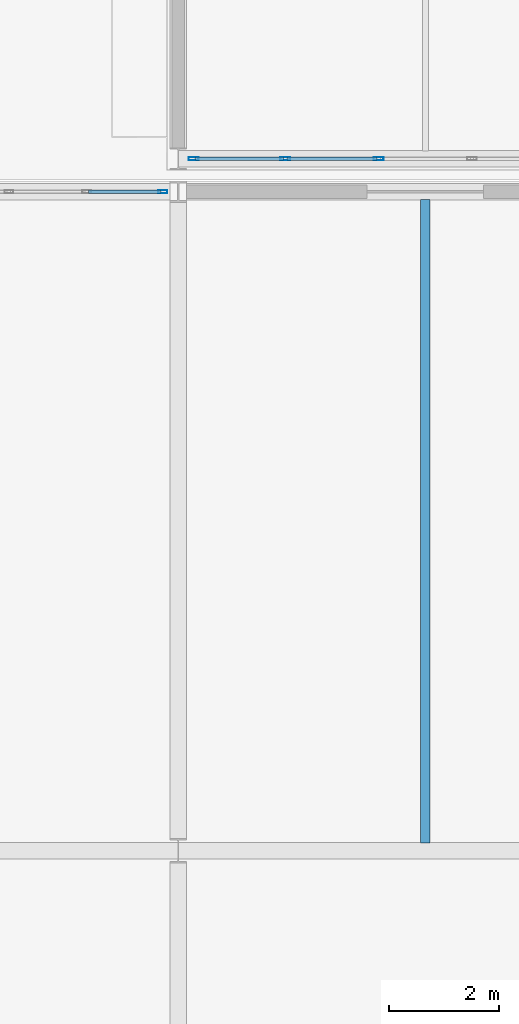
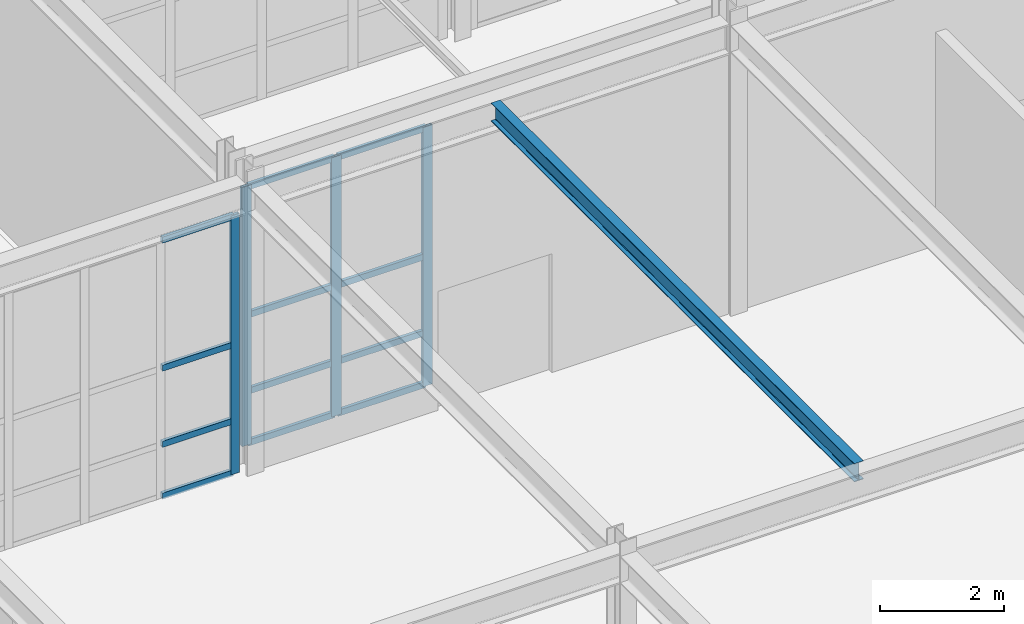
# One storey, part 28 of 146: 16 members, 1 beam, 2 elements without a shape of their own.
"""IFC4 building model written with IfcOpenShell, lengths in metres."""

from ifc_helpers import new_model, si_unit, direction, frame, origin, origin_2d, place, context, subcontext, project, spatial, hollow_rectangle, i_section, extrude, material, material_profile, profile_set, type_object, element, aggregate, save


model = new_model("IFC4")

# Units and contexts
model_context = context("Model", 3, precision=1e-05, world=origin(), true_north=direction((0.0, 1.0)))
body_context = subcontext(model_context, "Body", "Model", "MODEL_VIEW")
ifc_project = project(units=[si_unit("LENGTHUNIT", "METRE"), si_unit("AREAUNIT", "SQUARE_METRE"), si_unit("VOLUMEUNIT", "CUBIC_METRE"), si_unit("PLANEANGLEUNIT", "RADIAN"), si_unit("MASSUNIT", "GRAM", prefix="KILO")], contexts=[model_context])

# Site, building, storey
site_placement = place(None, origin())
site = spatial("IfcSite", under=ifc_project, at=site_placement, CompositionType="ELEMENT")
building_placement = place(site_placement, origin())
building = spatial("IfcBuilding", under=site, at=building_placement, Name="Kaldris Quays Convention Centre", CompositionType="ELEMENT")
storey_placement = place(building_placement, origin())
storey = spatial("IfcBuildingStorey", under=building, at=storey_placement, Name="L00", CompositionType="ELEMENT", Elevation=0.0)

# Curtain wall, member
ifc_material_1 = material(Name="Anodized aluminium AW-6060 and triple glazing", Category="aluminium")
curtain_wall_type_1 = type_object("IfcCurtainWallType", Name="UNITISED CURTAIN WALL CW01", PredefinedType="NOTDEFINED", material=ifc_material_1)
curtain_wall_1_placement = place(storey_placement, origin())
curtain_wall_1 = element("IfcCurtainWall", 1, at=curtain_wall_1_placement, inside=storey, type_object=curtain_wall_type_1, Name="L00 Unitised Curtain Wall CW01 44", PredefinedType="NOTDEFINED")
ifc_material_2 = material(Name="Anodized aluminium AW-6060", Category="aluminium")
ifc_material_profile_1 = material_profile(ifc_material_2, hollow_rectangle(XDim=0.06005859375, YDim=0.159912109375, WallThickness=0.00390625, at=origin_2d()), Name="RHS 160x60x4")
ifc_profile_set_1 = profile_set([ifc_material_profile_1], Name="Anodized aluminium AW-6060")
member_type_1 = type_object("IfcMemberType", Name="CURTAIN MULLION CWM1", PredefinedType="MULLION", material=ifc_profile_set_1)
member_1_placement = place(storey_placement, frame((28.719970703125, 46.0, 0.0), z_axis=(0.0, 0.0, 1.0), x_axis=(0.0, 1.0, 0.0)))
member_1 = element("IfcMember", 2, at=member_1_placement, type_object=member_type_1, Name="CW01 mullion 7", PredefinedType="MULLION", context=body_context, shape_type="SweptSolid", body=[
    extrude(hollow_rectangle(XDim=0.06005859375, YDim=0.159912109375, WallThickness=0.00390625, at=origin_2d()), origin(), (0.0, 0.0, 1.0), 5.097900390625),
])

# Curtain wall, members
curtain_wall_type_2 = type_object("IfcCurtainWallType", Name="UNITISED CURTAIN WALL CW02", PredefinedType="NOTDEFINED", material=ifc_material_1)
curtain_wall_2_placement = place(storey_placement, origin())
curtain_wall_2 = element("IfcCurtainWall", 3, at=curtain_wall_2_placement, inside=storey, type_object=curtain_wall_type_2, Name="L00 Unitised Curtain Wall CW02 78", PredefinedType="NOTDEFINED")
ifc_material_profile_2 = material_profile(ifc_material_2, hollow_rectangle(XDim=0.06005859375, YDim=0.179931640625, WallThickness=0.0048828125, at=origin_2d()), Name="RHS 180x60x5")
ifc_profile_set_2 = profile_set([ifc_material_profile_2], Name="Anodized aluminium AW-6060")
member_type_2 = type_object("IfcMemberType", Name="CURTAIN MULLION CWM2", PredefinedType="MULLION", material=ifc_profile_set_2)
member_2_placement = place(storey_placement, frame((29.280029296875, 46.60009765625, 0.0), z_axis=(0.0, 0.0, 1.0), x_axis=(0.0, 1.0, 0.0)))
member_2 = element("IfcMember", 4, at=member_2_placement, type_object=member_type_2, Name="CW02 mullion 1", PredefinedType="MULLION", context=body_context, shape_type="SweptSolid", body=[
    extrude(hollow_rectangle(XDim=0.06005859375, YDim=0.179931640625, WallThickness=0.0048828125, at=origin_2d()), origin(), (0.0, 0.0, 1.0), 5.10009765625),
])
member_3_placement = place(storey_placement, frame((30.949951171875, 46.60009765625, 0.0), z_axis=(0.0, 0.0, 1.0), x_axis=(0.0, 1.0, 0.0)))
member_3 = element("IfcMember", 5, at=member_3_placement, type_object=member_type_2, Name="CW02 mullion 2", PredefinedType="MULLION", context=body_context, shape_type="SweptSolid", body=[
    extrude(hollow_rectangle(XDim=0.06005859375, YDim=0.179931640625, WallThickness=0.0048828125, at=origin_2d()), origin(), (0.0, 0.0, 1.0), 5.10009765625),
])
member_4_placement = place(storey_placement, frame((32.64990234375, 46.60009765625, 0.0), z_axis=(0.0, 0.0, 1.0), x_axis=(0.0, 1.0, 0.0)))
member_4 = element("IfcMember", 6, at=member_4_placement, type_object=member_type_2, Name="CW02 mullion 3", PredefinedType="MULLION", context=body_context, shape_type="SweptSolid", body=[
    extrude(hollow_rectangle(XDim=0.06005859375, YDim=0.179931640625, WallThickness=0.0048828125, at=origin_2d()), origin(), (0.0, 0.0, 1.0), 5.10009765625),
])

# Member
ifc_material_profile_3 = material_profile(ifc_material_2, hollow_rectangle(XDim=0.06005859375, YDim=0.1201171875, WallThickness=0.00390625, at=origin_2d()), Name="RHS 120x60x4")
ifc_profile_set_3 = profile_set([ifc_material_profile_3], Name="Anodized aluminium AW-6060")
member_type_3 = type_object("IfcMemberType", Name="CURTAIN TRANSOM CWT1", PredefinedType="USERDEFINED", material=ifc_profile_set_3)
member_5_placement = place(storey_placement, frame((27.36328125, 46.0, 0.030029296875), z_axis=(1.0, 0.0, 0.0), x_axis=(0.0, 1.0, 0.0)))
member_5 = element("IfcMember", 7, at=member_5_placement, type_object=member_type_3, Name="CW01 transom 6.1", ObjectType="TRANSOM", PredefinedType="USERDEFINED", context=body_context, shape_type="SweptSolid", body=[
    extrude(hollow_rectangle(XDim=0.06005859375, YDim=0.1201171875, WallThickness=0.00390625, at=origin_2d()), origin(), (0.0, 0.0, 1.0), 1.32666015625),
])

member_6_placement = place(storey_placement, frame((27.36328125, 46.0, 1.050048828125), z_axis=(1.0, 0.0, 0.0), x_axis=(0.0, 1.0, 0.0)))
member_6 = element("IfcMember", 8, at=member_6_placement, type_object=member_type_3, Name="CW01 transom 6.2", ObjectType="TRANSOM", PredefinedType="USERDEFINED", context=body_context, shape_type="SweptSolid", body=[
    extrude(hollow_rectangle(XDim=0.06005859375, YDim=0.1201171875, WallThickness=0.00390625, at=origin_2d()), origin(), (0.0, 0.0, 1.0), 1.32666015625),
])

member_7_placement = place(storey_placement, frame((27.36328125, 46.0, 2.549072265625), z_axis=(1.0, 0.0, 0.0), x_axis=(0.0, 1.0, 0.0)))
member_7 = element("IfcMember", 9, at=member_7_placement, type_object=member_type_3, Name="CW01 transom 6.3", ObjectType="TRANSOM", PredefinedType="USERDEFINED", context=body_context, shape_type="SweptSolid", body=[
    extrude(hollow_rectangle(XDim=0.06005859375, YDim=0.1201171875, WallThickness=0.00390625, at=origin_2d()), origin(), (0.0, 0.0, 1.0), 1.32666015625),
])

member_8_placement = place(storey_placement, frame((27.36328125, 46.0, 5.068115234375), z_axis=(1.0, 0.0, 0.0), x_axis=(0.0, 1.0, 0.0)))
member_8 = element("IfcMember", 10, at=member_8_placement, type_object=member_type_3, Name="CW01 transom 6.4", ObjectType="TRANSOM", PredefinedType="USERDEFINED", context=body_context, shape_type="SweptSolid", body=[
    extrude(hollow_rectangle(XDim=0.06005859375, YDim=0.1201171875, WallThickness=0.00390625, at=origin_2d()), origin(), (0.0, 0.0, 1.0), 1.32666015625),
])

aggregate(curtain_wall_1, [member_1, member_5, member_6, member_7, member_8])

member_9_placement = place(storey_placement, frame((29.31005859375, 46.60009765625, 0.030029296875), z_axis=(1.0, 0.0, 0.0), x_axis=(0.0, 1.0, 0.0)))
member_9 = element("IfcMember", 11, at=member_9_placement, type_object=member_type_3, Name="CW02 transom 1.1", ObjectType="TRANSOM", PredefinedType="USERDEFINED", context=body_context, shape_type="SweptSolid", body=[
    extrude(hollow_rectangle(XDim=0.06005859375, YDim=0.1201171875, WallThickness=0.00390625, at=origin_2d()), origin(), (0.0, 0.0, 1.0), 1.60986328125),
])

member_10_placement = place(storey_placement, frame((29.31005859375, 46.60009765625, 1.050048828125), z_axis=(1.0, 0.0, 0.0), x_axis=(0.0, 1.0, 0.0)))
member_10 = element("IfcMember", 12, at=member_10_placement, type_object=member_type_3, Name="CW02 transom 1.2", ObjectType="TRANSOM", PredefinedType="USERDEFINED", context=body_context, shape_type="SweptSolid", body=[
    extrude(hollow_rectangle(XDim=0.06005859375, YDim=0.1201171875, WallThickness=0.00390625, at=origin_2d()), origin(), (0.0, 0.0, 1.0), 1.60986328125),
])

member_11_placement = place(storey_placement, frame((29.31005859375, 46.60009765625, 2.550048828125), z_axis=(1.0, 0.0, 0.0), x_axis=(0.0, 1.0, 0.0)))
member_11 = element("IfcMember", 13, at=member_11_placement, type_object=member_type_3, Name="CW02 transom 1.3", ObjectType="TRANSOM", PredefinedType="USERDEFINED", context=body_context, shape_type="SweptSolid", body=[
    extrude(hollow_rectangle(XDim=0.06005859375, YDim=0.1201171875, WallThickness=0.00390625, at=origin_2d()), origin(), (0.0, 0.0, 1.0), 1.60986328125),
])

member_12_placement = place(storey_placement, frame((29.31005859375, 46.60009765625, 5.070068359375), z_axis=(1.0, 0.0, 0.0), x_axis=(0.0, 1.0, 0.0)))
member_12 = element("IfcMember", 14, at=member_12_placement, type_object=member_type_3, Name="CW02 transom 1.4", ObjectType="TRANSOM", PredefinedType="USERDEFINED", context=body_context, shape_type="SweptSolid", body=[
    extrude(hollow_rectangle(XDim=0.06005859375, YDim=0.1201171875, WallThickness=0.00390625, at=origin_2d()), origin(), (0.0, 0.0, 1.0), 1.60986328125),
])

member_13_placement = place(storey_placement, frame((30.97998046875, 46.60009765625, 0.030029296875), z_axis=(1.0, 0.0, 0.0), x_axis=(0.0, 1.0, 0.0)))
member_13 = element("IfcMember", 15, at=member_13_placement, type_object=member_type_3, Name="CW02 transom 2.1", ObjectType="TRANSOM", PredefinedType="USERDEFINED", context=body_context, shape_type="SweptSolid", body=[
    extrude(hollow_rectangle(XDim=0.06005859375, YDim=0.1201171875, WallThickness=0.00390625, at=origin_2d()), origin(), (0.0, 0.0, 1.0), 1.64013671875),
])

member_14_placement = place(storey_placement, frame((30.97998046875, 46.60009765625, 1.050048828125), z_axis=(1.0, 0.0, 0.0), x_axis=(0.0, 1.0, 0.0)))
member_14 = element("IfcMember", 16, at=member_14_placement, type_object=member_type_3, Name="CW02 transom 2.2", ObjectType="TRANSOM", PredefinedType="USERDEFINED", context=body_context, shape_type="SweptSolid", body=[
    extrude(hollow_rectangle(XDim=0.06005859375, YDim=0.1201171875, WallThickness=0.00390625, at=origin_2d()), origin(), (0.0, 0.0, 1.0), 1.64013671875),
])

member_15_placement = place(storey_placement, frame((30.97998046875, 46.60009765625, 2.550048828125), z_axis=(1.0, 0.0, 0.0), x_axis=(0.0, 1.0, 0.0)))
member_15 = element("IfcMember", 17, at=member_15_placement, type_object=member_type_3, Name="CW02 transom 2.3", ObjectType="TRANSOM", PredefinedType="USERDEFINED", context=body_context, shape_type="SweptSolid", body=[
    extrude(hollow_rectangle(XDim=0.06005859375, YDim=0.1201171875, WallThickness=0.00390625, at=origin_2d()), origin(), (0.0, 0.0, 1.0), 1.64013671875),
])

member_16_placement = place(storey_placement, frame((30.97998046875, 46.60009765625, 5.070068359375), z_axis=(1.0, 0.0, 0.0), x_axis=(0.0, 1.0, 0.0)))
member_16 = element("IfcMember", 18, at=member_16_placement, type_object=member_type_3, Name="CW02 transom 2.4", ObjectType="TRANSOM", PredefinedType="USERDEFINED", context=body_context, shape_type="SweptSolid", body=[
    extrude(hollow_rectangle(XDim=0.06005859375, YDim=0.1201171875, WallThickness=0.00390625, at=origin_2d()), origin(), (0.0, 0.0, 1.0), 1.64013671875),
])

aggregate(curtain_wall_2, [member_2, member_3, member_4, member_9, member_10, member_11, member_12, member_13, member_14, member_15, member_16])

# Beam
ifc_material_3 = material(Name="Steel S355J2", Category="steel")
ifc_material_profile_4 = material_profile(ifc_material_3, i_section(OverallWidth=0.169921875, OverallDepth=0.360107421875, WebThickness=0.008056640625, FlangeThickness=0.0126953125, FilletRadius=0.01806640625, at=origin_2d()), Name="IPE 360")
ifc_profile_set_4 = profile_set([ifc_material_profile_4], Name="Steel S355J2")
beam_type = type_object("IfcBeamType", Name="STRUCTURAL BEAM JT03", PredefinedType="JOIST", material=ifc_profile_set_4)
beam_placement = place(storey_placement, frame((33.5, 34.14404296875, 5.54296875), z_axis=(0.0, 1.0, 0.0), x_axis=(-1.0, 0.0, 0.0)))
element("IfcBeam", 19, at=beam_placement, inside=storey, type_object=beam_type, Name="L00 Secondary Joist JT03 8", PredefinedType="JOIST", context=body_context, shape_type="SweptSolid", body=[
    extrude(i_section(OverallWidth=0.169921875, OverallDepth=0.360107421875, WebThickness=0.008056640625, FlangeThickness=0.0126953125, FilletRadius=0.01806640625, at=origin_2d()), origin(), (0.0, 0.0, 1.0), 11.7119140625),
])

save(model, "model.ifc")
